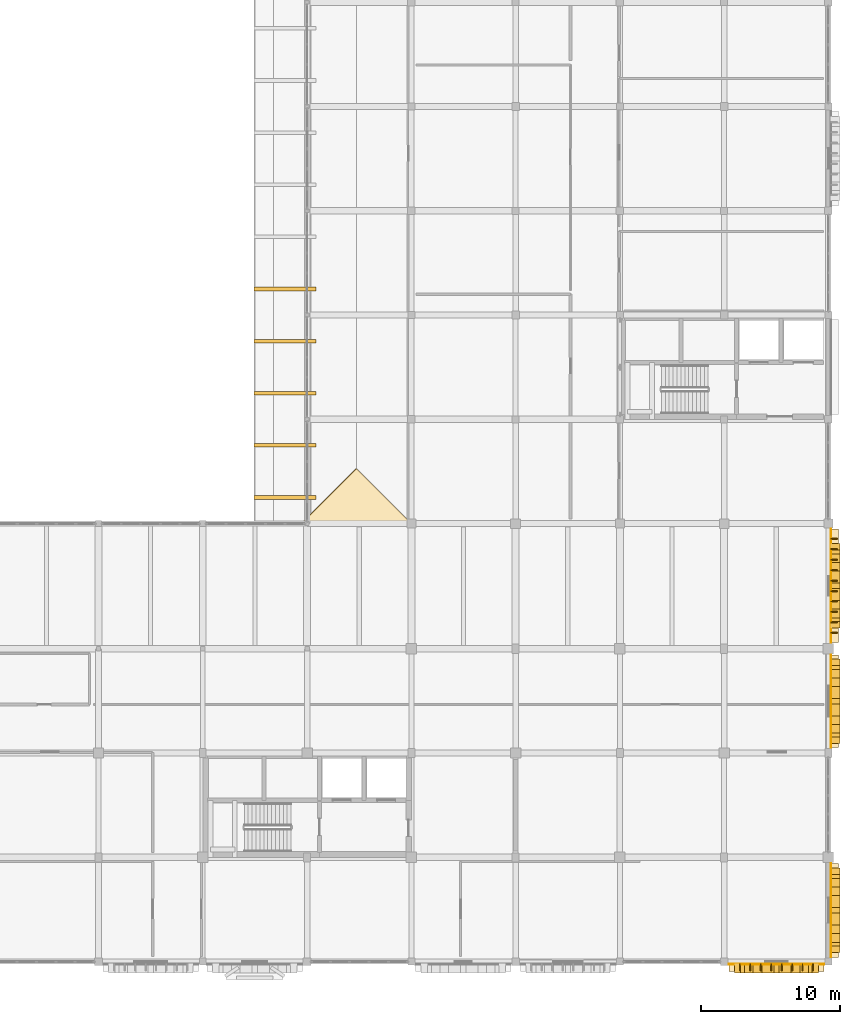
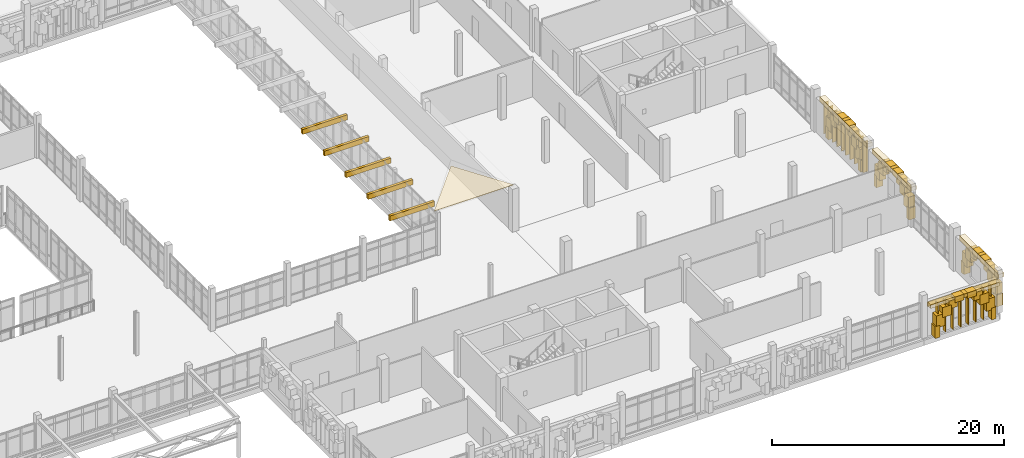
# One storey, part 123 of 128: 58 coverings, 18 shading devices.
"""IFC4 building model written with IfcOpenShell, lengths in metres."""

from ifc_helpers import new_model, si_unit, direction, frame, origin, origin_2d, place, context, subcontext, project, spatial, polyline, rectangle, outline, extrude, material, layer, layer_set, type_object, element, save


model = new_model("IFC4")

# Units and contexts
model_context = context("Model", 3, precision=1e-05, world=origin(), true_north=direction((0.0, 1.0)))
body_context = subcontext(model_context, "Body", "Model", "MODEL_VIEW")
ifc_project = project(units=[si_unit("LENGTHUNIT", "METRE"), si_unit("AREAUNIT", "SQUARE_METRE"), si_unit("VOLUMEUNIT", "CUBIC_METRE"), si_unit("PLANEANGLEUNIT", "RADIAN"), si_unit("MASSUNIT", "GRAM", prefix="KILO")], contexts=[model_context])

# Site, building, storey
site_placement = place(None, origin())
site = spatial("IfcSite", under=ifc_project, at=site_placement, CompositionType="ELEMENT")
building_placement = place(site_placement, origin())
building = spatial("IfcBuilding", under=site, at=building_placement, Name="Dalvernix Boulevard General Hospital", CompositionType="ELEMENT")
storey_placement = place(building_placement, frame((0.0, 0.0, 4.800048828125)))
storey = spatial("IfcBuildingStorey", under=building, at=storey_placement, Name="L01", CompositionType="ELEMENT", Elevation=4.800048828125)

# Coverings
ifc_material_1 = material(Name="Pressed Catalan clay brick and dressed limestone parabolic archivolt", Category="masonry")
ifc_layer_1 = layer(ifc_material_1, 0.419921875)
ifc_layer_set_1 = layer_set([ifc_layer_1], Name="Pressed Catalan clay brick and dressed limestone parabolic archivolt (COV-ARC-01)")
covering_type_1 = type_object("IfcCoveringType", Name="COV-ARC-01", PredefinedType="CLADDING", material=ifc_layer_set_1)
for number, where, z_axis, x_axis, name in (
    (1, (171.5625, -0.485107421875, 0.0), (0.0, 0.0, 1.0), (-1.0, 0.0, 0.0), "L01 Catalan parabolic arch impost pier S 22-0-L"),
    (2, (165.96240234375, -0.485107421875, 0.0), (0.0, 0.0, 1.0), (-1.0, 0.0, 0.0), "L01 Catalan parabolic arch impost pier S 22-0-R"),
):
    element("IfcCovering", number, at=place(storey_placement, frame(where, z_axis=z_axis, x_axis=x_axis)), inside=storey, type_object=covering_type_1, Name=name, PredefinedType="CLADDING", context=body_context, shape_type="SweptSolid", body=[
        extrude(rectangle(XDim=0.4599609375, YDim=0.659912109375, at=origin_2d()), origin(), (0.0, 0.0, 1.0), 1.25),
    ])
covering_1_placement = place(storey_placement, frame((171.25146484375, -0.485107421875, 1.06005859375), z_axis=(0.0, 0.0, 1.0), x_axis=(-1.0, 0.0, 0.0)))
element("IfcCovering", 3, at=covering_1_placement, inside=storey, type_object=covering_type_1, Name="L01 Catalan parabolic archivolt voussoir S 22-0-1", PredefinedType="CLADDING", context=body_context, shape_type="SweptSolid", body=[
    extrude(rectangle(XDim=0.8623046875, YDim=0.659912109375, at=origin_2d()), origin(), (0.0, 0.0, 1.0), 1.272705078125),
])
covering_2_placement = place(storey_placement, frame((170.629150390625, -0.485107421875, 1.95263671875), z_axis=(0.0, 0.0, 1.0), x_axis=(-1.0, 0.0, 0.0)))
element("IfcCovering", 4, at=covering_2_placement, inside=storey, type_object=covering_type_1, Name="L01 Catalan parabolic archivolt voussoir S 22-0-2", PredefinedType="CLADDING", context=body_context, shape_type="SweptSolid", body=[
    extrude(rectangle(XDim=0.8623046875, YDim=0.659912109375, at=origin_2d()), origin(), (0.0, 0.0, 1.0), 1.049560546875),
])
covering_3_placement = place(storey_placement, frame((170.0068359375, -0.485107421875, 2.62255859375), z_axis=(0.0, 0.0, 1.0), x_axis=(-1.0, 0.0, 0.0)))
element("IfcCovering", 5, at=covering_3_placement, inside=storey, type_object=covering_type_1, Name="L01 Catalan parabolic archivolt voussoir S 22-0-3", PredefinedType="CLADDING", context=body_context, shape_type="SweptSolid", body=[
    extrude(rectangle(XDim=0.8623046875, YDim=0.659912109375, at=origin_2d()), origin(), (0.0, 0.0, 1.0), 0.826416015625),
])
covering_4_placement = place(storey_placement, frame((169.384765625, -0.485107421875, 3.06884765625), z_axis=(0.0, 0.0, 1.0), x_axis=(-1.0, 0.0, 0.0)))
element("IfcCovering", 6, at=covering_4_placement, inside=storey, type_object=covering_type_1, Name="L01 Catalan parabolic archivolt voussoir S 22-0-4", PredefinedType="CLADDING", context=body_context, shape_type="SweptSolid", body=[
    extrude(rectangle(XDim=0.8623046875, YDim=0.659912109375, at=origin_2d()), origin(), (0.0, 0.0, 1.0), 0.603271484375),
])
covering_5_placement = place(storey_placement, frame((168.762451171875, -0.485107421875, 3.2919921875), z_axis=(0.0, 0.0, 1.0), x_axis=(-1.0, 0.0, 0.0)))
element("IfcCovering", 7, at=covering_5_placement, inside=storey, type_object=covering_type_1, Name="L01 Catalan parabolic archivolt voussoir S 22-0-5", PredefinedType="CLADDING", context=body_context, shape_type="SweptSolid", body=[
    extrude(rectangle(XDim=0.8623046875, YDim=0.659912109375, at=origin_2d()), origin(), (0.0, 0.0, 1.0), 0.3798828125),
])
covering_6_placement = place(storey_placement, frame((168.140380859375, -0.485107421875, 3.06884765625), z_axis=(0.0, 0.0, 1.0), x_axis=(-1.0, 0.0, 0.0)))
element("IfcCovering", 8, at=covering_6_placement, inside=storey, type_object=covering_type_1, Name="L01 Catalan parabolic archivolt voussoir S 22-0-6", PredefinedType="CLADDING", context=body_context, shape_type="SweptSolid", body=[
    extrude(rectangle(XDim=0.8623046875, YDim=0.659912109375, at=origin_2d()), origin(), (0.0, 0.0, 1.0), 0.603271484375),
])
covering_7_placement = place(storey_placement, frame((167.51806640625, -0.485107421875, 2.62255859375), z_axis=(0.0, 0.0, 1.0), x_axis=(-1.0, 0.0, 0.0)))
element("IfcCovering", 9, at=covering_7_placement, inside=storey, type_object=covering_type_1, Name="L01 Catalan parabolic archivolt voussoir S 22-0-7", PredefinedType="CLADDING", context=body_context, shape_type="SweptSolid", body=[
    extrude(rectangle(XDim=0.8623046875, YDim=0.659912109375, at=origin_2d()), origin(), (0.0, 0.0, 1.0), 0.826416015625),
])
covering_8_placement = place(storey_placement, frame((166.895751953125, -0.485107421875, 1.95263671875), z_axis=(0.0, 0.0, 1.0), x_axis=(-1.0, 0.0, 0.0)))
element("IfcCovering", 10, at=covering_8_placement, inside=storey, type_object=covering_type_1, Name="L01 Catalan parabolic archivolt voussoir S 22-0-8", PredefinedType="CLADDING", context=body_context, shape_type="SweptSolid", body=[
    extrude(rectangle(XDim=0.8623046875, YDim=0.659912109375, at=origin_2d()), origin(), (0.0, 0.0, 1.0), 1.049560546875),
])
covering_9_placement = place(storey_placement, frame((166.273681640625, -0.485107421875, 1.06005859375), z_axis=(0.0, 0.0, 1.0), x_axis=(-1.0, 0.0, 0.0)))
element("IfcCovering", 11, at=covering_9_placement, inside=storey, type_object=covering_type_1, Name="L01 Catalan parabolic archivolt voussoir S 22-0-9", PredefinedType="CLADDING", context=body_context, shape_type="SweptSolid", body=[
    extrude(rectangle(XDim=0.8623046875, YDim=0.659912109375, at=origin_2d()), origin(), (0.0, 0.0, 1.0), 1.272705078125),
])
for number, where, z_axis, x_axis, name in (
    (12, (172.985107421875, 6.487548828125, 0.0), (0.0, 0.0, 1.0), (0.0, -1.0, 0.0), "L01 Catalan parabolic arch impost pier E 23-0-L"),
    (13, (172.985107421875, 0.887451171875, 0.0), (0.0, 0.0, 1.0), (0.0, -1.0, 0.0), "L01 Catalan parabolic arch impost pier E 23-0-R"),
):
    element("IfcCovering", number, at=place(storey_placement, frame(where, z_axis=z_axis, x_axis=x_axis)), inside=storey, type_object=covering_type_1, Name=name, PredefinedType="CLADDING", context=body_context, shape_type="SweptSolid", body=[
        extrude(rectangle(XDim=0.4599609375, YDim=0.659912109375, at=origin_2d()), origin(), (0.0, 0.0, 1.0), 1.25),
    ])
covering_10_placement = place(storey_placement, frame((172.985107421875, 6.176513671875, 1.06005859375), z_axis=(0.0, 0.0, 1.0), x_axis=(0.0, -1.0, 0.0)))
element("IfcCovering", 14, at=covering_10_placement, inside=storey, type_object=covering_type_1, Name="L01 Catalan parabolic archivolt voussoir E 23-0-1", PredefinedType="CLADDING", context=body_context, shape_type="SweptSolid", body=[
    extrude(rectangle(XDim=0.8623046875, YDim=0.659912109375, at=origin_2d()), origin(), (0.0, 0.0, 1.0), 1.272705078125),
])
covering_11_placement = place(storey_placement, frame((172.985107421875, 5.55419921875, 1.95263671875), z_axis=(0.0, 0.0, 1.0), x_axis=(0.0, -1.0, 0.0)))
element("IfcCovering", 15, at=covering_11_placement, inside=storey, type_object=covering_type_1, Name="L01 Catalan parabolic archivolt voussoir E 23-0-2", PredefinedType="CLADDING", context=body_context, shape_type="SweptSolid", body=[
    extrude(rectangle(XDim=0.8623046875, YDim=0.659912109375, at=origin_2d()), origin(), (0.0, 0.0, 1.0), 1.049560546875),
])
covering_12_placement = place(storey_placement, frame((172.985107421875, 4.931884765625, 2.62255859375), z_axis=(0.0, 0.0, 1.0), x_axis=(0.0, -1.0, 0.0)))
element("IfcCovering", 16, at=covering_12_placement, inside=storey, type_object=covering_type_1, Name="L01 Catalan parabolic archivolt voussoir E 23-0-3", PredefinedType="CLADDING", context=body_context, shape_type="SweptSolid", body=[
    extrude(rectangle(XDim=0.8623046875, YDim=0.659912109375, at=origin_2d()), origin(), (0.0, 0.0, 1.0), 0.826416015625),
])
covering_13_placement = place(storey_placement, frame((172.985107421875, 4.309814453125, 3.06884765625), z_axis=(0.0, 0.0, 1.0), x_axis=(0.0, -1.0, 0.0)))
element("IfcCovering", 17, at=covering_13_placement, inside=storey, type_object=covering_type_1, Name="L01 Catalan parabolic archivolt voussoir E 23-0-4", PredefinedType="CLADDING", context=body_context, shape_type="SweptSolid", body=[
    extrude(rectangle(XDim=0.8623046875, YDim=0.659912109375, at=origin_2d()), origin(), (0.0, 0.0, 1.0), 0.603271484375),
])
covering_14_placement = place(storey_placement, frame((172.985107421875, 3.6875, 3.2919921875), z_axis=(0.0, 0.0, 1.0), x_axis=(0.0, -1.0, 0.0)))
element("IfcCovering", 18, at=covering_14_placement, inside=storey, type_object=covering_type_1, Name="L01 Catalan parabolic archivolt voussoir E 23-0-5", PredefinedType="CLADDING", context=body_context, shape_type="SweptSolid", body=[
    extrude(rectangle(XDim=0.8623046875, YDim=0.659912109375, at=origin_2d()), origin(), (0.0, 0.0, 1.0), 0.3798828125),
])
covering_15_placement = place(storey_placement, frame((172.985107421875, 3.065185546875, 3.06884765625), z_axis=(0.0, 0.0, 1.0), x_axis=(0.0, -1.0, 0.0)))
element("IfcCovering", 19, at=covering_15_placement, inside=storey, type_object=covering_type_1, Name="L01 Catalan parabolic archivolt voussoir E 23-0-6", PredefinedType="CLADDING", context=body_context, shape_type="SweptSolid", body=[
    extrude(rectangle(XDim=0.8623046875, YDim=0.659912109375, at=origin_2d()), origin(), (0.0, 0.0, 1.0), 0.603271484375),
])
covering_16_placement = place(storey_placement, frame((172.985107421875, 2.443115234375, 2.62255859375), z_axis=(0.0, 0.0, 1.0), x_axis=(0.0, -1.0, 0.0)))
element("IfcCovering", 20, at=covering_16_placement, inside=storey, type_object=covering_type_1, Name="L01 Catalan parabolic archivolt voussoir E 23-0-7", PredefinedType="CLADDING", context=body_context, shape_type="SweptSolid", body=[
    extrude(rectangle(XDim=0.8623046875, YDim=0.659912109375, at=origin_2d()), origin(), (0.0, 0.0, 1.0), 0.826416015625),
])
covering_17_placement = place(storey_placement, frame((172.985107421875, 1.82080078125, 1.95263671875), z_axis=(0.0, 0.0, 1.0), x_axis=(0.0, -1.0, 0.0)))
element("IfcCovering", 21, at=covering_17_placement, inside=storey, type_object=covering_type_1, Name="L01 Catalan parabolic archivolt voussoir E 23-0-8", PredefinedType="CLADDING", context=body_context, shape_type="SweptSolid", body=[
    extrude(rectangle(XDim=0.8623046875, YDim=0.659912109375, at=origin_2d()), origin(), (0.0, 0.0, 1.0), 1.049560546875),
])
covering_18_placement = place(storey_placement, frame((172.985107421875, 1.198486328125, 1.06005859375), z_axis=(0.0, 0.0, 1.0), x_axis=(0.0, -1.0, 0.0)))
element("IfcCovering", 22, at=covering_18_placement, inside=storey, type_object=covering_type_1, Name="L01 Catalan parabolic archivolt voussoir E 23-0-9", PredefinedType="CLADDING", context=body_context, shape_type="SweptSolid", body=[
    extrude(rectangle(XDim=0.8623046875, YDim=0.659912109375, at=origin_2d()), origin(), (0.0, 0.0, 1.0), 1.272705078125),
])
for number, where, z_axis, x_axis, name in (
    (23, (172.985107421875, 21.52490234375, 0.0), (0.0, 0.0, 1.0), (0.0, -1.0, 0.0), "L01 Catalan parabolic arch impost pier E 23-2-L"),
    (24, (172.985107421875, 15.925048828125, 0.0), (0.0, 0.0, 1.0), (0.0, -1.0, 0.0), "L01 Catalan parabolic arch impost pier E 23-2-R"),
):
    element("IfcCovering", number, at=place(storey_placement, frame(where, z_axis=z_axis, x_axis=x_axis)), inside=storey, type_object=covering_type_1, Name=name, PredefinedType="CLADDING", context=body_context, shape_type="SweptSolid", body=[
        extrude(rectangle(XDim=0.4599609375, YDim=0.659912109375, at=origin_2d()), origin(), (0.0, 0.0, 1.0), 1.25),
    ])
covering_19_placement = place(storey_placement, frame((172.985107421875, 21.2138671875, 1.06005859375), z_axis=(0.0, 0.0, 1.0), x_axis=(0.0, -1.0, 0.0)))
element("IfcCovering", 25, at=covering_19_placement, inside=storey, type_object=covering_type_1, Name="L01 Catalan parabolic archivolt voussoir E 23-2-1", PredefinedType="CLADDING", context=body_context, shape_type="SweptSolid", body=[
    extrude(rectangle(XDim=0.8623046875, YDim=0.659912109375, at=origin_2d()), origin(), (0.0, 0.0, 1.0), 1.272705078125),
])
covering_20_placement = place(storey_placement, frame((172.985107421875, 20.591796875, 1.95263671875), z_axis=(0.0, 0.0, 1.0), x_axis=(0.0, -1.0, 0.0)))
element("IfcCovering", 26, at=covering_20_placement, inside=storey, type_object=covering_type_1, Name="L01 Catalan parabolic archivolt voussoir E 23-2-2", PredefinedType="CLADDING", context=body_context, shape_type="SweptSolid", body=[
    extrude(rectangle(XDim=0.8623046875, YDim=0.659912109375, at=origin_2d()), origin(), (0.0, 0.0, 1.0), 1.049560546875),
])
covering_21_placement = place(storey_placement, frame((172.985107421875, 19.969482421875, 2.62255859375), z_axis=(0.0, 0.0, 1.0), x_axis=(0.0, -1.0, 0.0)))
element("IfcCovering", 27, at=covering_21_placement, inside=storey, type_object=covering_type_1, Name="L01 Catalan parabolic archivolt voussoir E 23-2-3", PredefinedType="CLADDING", context=body_context, shape_type="SweptSolid", body=[
    extrude(rectangle(XDim=0.8623046875, YDim=0.659912109375, at=origin_2d()), origin(), (0.0, 0.0, 1.0), 0.826416015625),
])
covering_22_placement = place(storey_placement, frame((172.985107421875, 19.34716796875, 3.06884765625), z_axis=(0.0, 0.0, 1.0), x_axis=(0.0, -1.0, 0.0)))
element("IfcCovering", 28, at=covering_22_placement, inside=storey, type_object=covering_type_1, Name="L01 Catalan parabolic archivolt voussoir E 23-2-4", PredefinedType="CLADDING", context=body_context, shape_type="SweptSolid", body=[
    extrude(rectangle(XDim=0.8623046875, YDim=0.659912109375, at=origin_2d()), origin(), (0.0, 0.0, 1.0), 0.603271484375),
])
covering_23_placement = place(storey_placement, frame((172.985107421875, 18.72509765625, 3.2919921875), z_axis=(0.0, 0.0, 1.0), x_axis=(0.0, -1.0, 0.0)))
element("IfcCovering", 29, at=covering_23_placement, inside=storey, type_object=covering_type_1, Name="L01 Catalan parabolic archivolt voussoir E 23-2-5", PredefinedType="CLADDING", context=body_context, shape_type="SweptSolid", body=[
    extrude(rectangle(XDim=0.8623046875, YDim=0.659912109375, at=origin_2d()), origin(), (0.0, 0.0, 1.0), 0.3798828125),
])
covering_24_placement = place(storey_placement, frame((172.985107421875, 18.102783203125, 3.06884765625), z_axis=(0.0, 0.0, 1.0), x_axis=(0.0, -1.0, 0.0)))
element("IfcCovering", 30, at=covering_24_placement, inside=storey, type_object=covering_type_1, Name="L01 Catalan parabolic archivolt voussoir E 23-2-6", PredefinedType="CLADDING", context=body_context, shape_type="SweptSolid", body=[
    extrude(rectangle(XDim=0.8623046875, YDim=0.659912109375, at=origin_2d()), origin(), (0.0, 0.0, 1.0), 0.603271484375),
])
covering_25_placement = place(storey_placement, frame((172.985107421875, 17.480712890625, 2.62255859375), z_axis=(0.0, 0.0, 1.0), x_axis=(0.0, -1.0, 0.0)))
element("IfcCovering", 31, at=covering_25_placement, inside=storey, type_object=covering_type_1, Name="L01 Catalan parabolic archivolt voussoir E 23-2-7", PredefinedType="CLADDING", context=body_context, shape_type="SweptSolid", body=[
    extrude(rectangle(XDim=0.8623046875, YDim=0.659912109375, at=origin_2d()), origin(), (0.0, 0.0, 1.0), 0.826416015625),
])
covering_26_placement = place(storey_placement, frame((172.985107421875, 16.8583984375, 1.95263671875), z_axis=(0.0, 0.0, 1.0), x_axis=(0.0, -1.0, 0.0)))
element("IfcCovering", 32, at=covering_26_placement, inside=storey, type_object=covering_type_1, Name="L01 Catalan parabolic archivolt voussoir E 23-2-8", PredefinedType="CLADDING", context=body_context, shape_type="SweptSolid", body=[
    extrude(rectangle(XDim=0.8623046875, YDim=0.659912109375, at=origin_2d()), origin(), (0.0, 0.0, 1.0), 1.049560546875),
])
covering_27_placement = place(storey_placement, frame((172.985107421875, 16.236083984375, 1.06005859375), z_axis=(0.0, 0.0, 1.0), x_axis=(0.0, -1.0, 0.0)))
element("IfcCovering", 33, at=covering_27_placement, inside=storey, type_object=covering_type_1, Name="L01 Catalan parabolic archivolt voussoir E 23-2-9", PredefinedType="CLADDING", context=body_context, shape_type="SweptSolid", body=[
    extrude(rectangle(XDim=0.8623046875, YDim=0.659912109375, at=origin_2d()), origin(), (0.0, 0.0, 1.0), 1.272705078125),
])
for number, where, z_axis, x_axis, name in (
    (34, (172.985107421875, 29.824951171875, 0.0), (0.0, 0.0, 1.0), (0.0, -1.0, 0.0), "L01 Catalan parabolic arch impost pier E 23-3-L"),
    (35, (172.985107421875, 24.22509765625, 0.0), (0.0, 0.0, 1.0), (0.0, -1.0, 0.0), "L01 Catalan parabolic arch impost pier E 23-3-R"),
):
    element("IfcCovering", number, at=place(storey_placement, frame(where, z_axis=z_axis, x_axis=x_axis)), inside=storey, type_object=covering_type_1, Name=name, PredefinedType="CLADDING", context=body_context, shape_type="SweptSolid", body=[
        extrude(rectangle(XDim=0.4599609375, YDim=0.659912109375, at=origin_2d()), origin(), (0.0, 0.0, 1.0), 1.25),
    ])
covering_28_placement = place(storey_placement, frame((172.985107421875, 29.513916015625, 1.06005859375), z_axis=(0.0, 0.0, 1.0), x_axis=(0.0, -1.0, 0.0)))
element("IfcCovering", 36, at=covering_28_placement, inside=storey, type_object=covering_type_1, Name="L01 Catalan parabolic archivolt voussoir E 23-3-1", PredefinedType="CLADDING", context=body_context, shape_type="SweptSolid", body=[
    extrude(rectangle(XDim=0.8623046875, YDim=0.659912109375, at=origin_2d()), origin(), (0.0, 0.0, 1.0), 1.272705078125),
])
covering_29_placement = place(storey_placement, frame((172.985107421875, 28.8916015625, 1.95263671875), z_axis=(0.0, 0.0, 1.0), x_axis=(0.0, -1.0, 0.0)))
element("IfcCovering", 37, at=covering_29_placement, inside=storey, type_object=covering_type_1, Name="L01 Catalan parabolic archivolt voussoir E 23-3-2", PredefinedType="CLADDING", context=body_context, shape_type="SweptSolid", body=[
    extrude(rectangle(XDim=0.8623046875, YDim=0.659912109375, at=origin_2d()), origin(), (0.0, 0.0, 1.0), 1.049560546875),
])
covering_30_placement = place(storey_placement, frame((172.985107421875, 28.269287109375, 2.62255859375), z_axis=(0.0, 0.0, 1.0), x_axis=(0.0, -1.0, 0.0)))
element("IfcCovering", 38, at=covering_30_placement, inside=storey, type_object=covering_type_1, Name="L01 Catalan parabolic archivolt voussoir E 23-3-3", PredefinedType="CLADDING", context=body_context, shape_type="SweptSolid", body=[
    extrude(rectangle(XDim=0.8623046875, YDim=0.659912109375, at=origin_2d()), origin(), (0.0, 0.0, 1.0), 0.826416015625),
])
covering_31_placement = place(storey_placement, frame((172.985107421875, 27.647216796875, 3.06884765625), z_axis=(0.0, 0.0, 1.0), x_axis=(0.0, -1.0, 0.0)))
element("IfcCovering", 39, at=covering_31_placement, inside=storey, type_object=covering_type_1, Name="L01 Catalan parabolic archivolt voussoir E 23-3-4", PredefinedType="CLADDING", context=body_context, shape_type="SweptSolid", body=[
    extrude(rectangle(XDim=0.8623046875, YDim=0.659912109375, at=origin_2d()), origin(), (0.0, 0.0, 1.0), 0.603271484375),
])
covering_32_placement = place(storey_placement, frame((172.985107421875, 27.02490234375, 3.2919921875), z_axis=(0.0, 0.0, 1.0), x_axis=(0.0, -1.0, 0.0)))
element("IfcCovering", 40, at=covering_32_placement, inside=storey, type_object=covering_type_1, Name="L01 Catalan parabolic archivolt voussoir E 23-3-5", PredefinedType="CLADDING", context=body_context, shape_type="SweptSolid", body=[
    extrude(rectangle(XDim=0.8623046875, YDim=0.659912109375, at=origin_2d()), origin(), (0.0, 0.0, 1.0), 0.3798828125),
])
covering_33_placement = place(storey_placement, frame((172.985107421875, 26.40283203125, 3.06884765625), z_axis=(0.0, 0.0, 1.0), x_axis=(0.0, -1.0, 0.0)))
element("IfcCovering", 41, at=covering_33_placement, inside=storey, type_object=covering_type_1, Name="L01 Catalan parabolic archivolt voussoir E 23-3-6", PredefinedType="CLADDING", context=body_context, shape_type="SweptSolid", body=[
    extrude(rectangle(XDim=0.8623046875, YDim=0.659912109375, at=origin_2d()), origin(), (0.0, 0.0, 1.0), 0.603271484375),
])
covering_34_placement = place(storey_placement, frame((172.985107421875, 25.780517578125, 2.62255859375), z_axis=(0.0, 0.0, 1.0), x_axis=(0.0, -1.0, 0.0)))
element("IfcCovering", 42, at=covering_34_placement, inside=storey, type_object=covering_type_1, Name="L01 Catalan parabolic archivolt voussoir E 23-3-7", PredefinedType="CLADDING", context=body_context, shape_type="SweptSolid", body=[
    extrude(rectangle(XDim=0.8623046875, YDim=0.659912109375, at=origin_2d()), origin(), (0.0, 0.0, 1.0), 0.826416015625),
])
covering_35_placement = place(storey_placement, frame((172.985107421875, 25.158203125, 1.95263671875), z_axis=(0.0, 0.0, 1.0), x_axis=(0.0, -1.0, 0.0)))
element("IfcCovering", 43, at=covering_35_placement, inside=storey, type_object=covering_type_1, Name="L01 Catalan parabolic archivolt voussoir E 23-3-8", PredefinedType="CLADDING", context=body_context, shape_type="SweptSolid", body=[
    extrude(rectangle(XDim=0.8623046875, YDim=0.659912109375, at=origin_2d()), origin(), (0.0, 0.0, 1.0), 1.049560546875),
])
covering_36_placement = place(storey_placement, frame((172.985107421875, 24.5361328125, 1.06005859375), z_axis=(0.0, 0.0, 1.0), x_axis=(0.0, -1.0, 0.0)))
element("IfcCovering", 44, at=covering_36_placement, inside=storey, type_object=covering_type_1, Name="L01 Catalan parabolic archivolt voussoir E 23-3-9", PredefinedType="CLADDING", context=body_context, shape_type="SweptSolid", body=[
    extrude(rectangle(XDim=0.8623046875, YDim=0.659912109375, at=origin_2d()), origin(), (0.0, 0.0, 1.0), 1.272705078125),
])
ifc_material_2 = material(Name="Polychrome Catalan glazed ceramic spandrel tile panel")
ifc_layer_2 = layer(ifc_material_2, 0.044921875)
ifc_layer_set_2 = layer_set([ifc_layer_2], Name="Polychrome Catalan glazed ceramic spandrel tile panel (COV-CLD-01)")
covering_type_2 = type_object("IfcCoveringType", Name="COV-CLD-01", PredefinedType="CLADDING", material=ifc_layer_set_2)
covering_37_placement = place(storey_placement, frame((168.762451171875, -0.195068359375, 3.15478515625), z_axis=(0.0, 0.0, 1.0), x_axis=(-1.0, 0.0, 0.0)))
element("IfcCovering", 45, at=covering_37_placement, inside=storey, type_object=covering_type_2, Name="L01 polychrome ceramic spandrel S 22-0", PredefinedType="CLADDING", context=body_context, shape_type="SweptSolid", body=[
    extrude(rectangle(XDim=6.85498046875, YDim=0.044921875, at=origin_2d()), origin(), (0.0, 0.0, 1.0), 0.449951171875),
])
covering_38_placement = place(storey_placement, frame((172.695068359375, 3.6875, 3.15478515625), z_axis=(0.0, 0.0, 1.0), x_axis=(0.0, -1.0, 0.0)))
element("IfcCovering", 46, at=covering_38_placement, inside=storey, type_object=covering_type_2, Name="L01 polychrome ceramic spandrel E 23-0", PredefinedType="CLADDING", context=body_context, shape_type="SweptSolid", body=[
    extrude(rectangle(XDim=6.7548828125, YDim=0.044921875, at=origin_2d()), origin(), (0.0, 0.0, 1.0), 0.449951171875),
])
covering_39_placement = place(storey_placement, frame((172.695068359375, 18.72509765625, 3.15478515625), z_axis=(0.0, 0.0, 1.0), x_axis=(0.0, -1.0, 0.0)))
element("IfcCovering", 47, at=covering_39_placement, inside=storey, type_object=covering_type_2, Name="L01 polychrome ceramic spandrel E 23-2", PredefinedType="CLADDING", context=body_context, shape_type="SweptSolid", body=[
    extrude(rectangle(XDim=6.679931640625, YDim=0.044921875, at=origin_2d()), origin(), (0.0, 0.0, 1.0), 0.449951171875),
])
covering_40_placement = place(storey_placement, frame((172.695068359375, 27.02490234375, 3.15478515625), z_axis=(0.0, 0.0, 1.0), x_axis=(0.0, -1.0, 0.0)))
element("IfcCovering", 48, at=covering_40_placement, inside=storey, type_object=covering_type_2, Name="L01 polychrome ceramic spandrel E 23-3", PredefinedType="CLADDING", context=body_context, shape_type="SweptSolid", body=[
    extrude(rectangle(XDim=8.179931640625, YDim=0.044921875, at=origin_2d()), origin(), (0.0, 0.0, 1.0), 0.449951171875),
])
ifc_material_3 = material(Name="Dressed ochre limestone classical plinth, stringcourse and corbelled cornice", Category="masonry")
ifc_layer_3 = layer(ifc_material_3, 0.449951171875)
ifc_layer_set_3 = layer_set([ifc_layer_3], Name="Dressed ochre limestone classical plinth, stringcourse and corbelled cornice (COV-CRN-01)")
covering_type_3 = type_object("IfcCoveringType", Name="COV-CRN-01", PredefinedType="CLADDING", material=ifc_layer_set_3)
covering_41_placement = place(storey_placement, frame((168.762451171875, -0.43505859375, 3.22998046875), z_axis=(0.0, 0.0, 1.0), x_axis=(-1.0, 0.0, 0.0)))
element("IfcCovering", 49, at=covering_41_placement, inside=storey, type_object=covering_type_3, Name="L01 classical corbelled cornice frieze S 22-0", PredefinedType="CLADDING", context=body_context, shape_type="SweptSolid", body=[
    extrude(rectangle(XDim=6.85498046875, YDim=0.56005859375, at=origin_2d()), origin(), (0.0, 0.0, 1.0), 0.39990234375),
])
covering_42_placement = place(storey_placement, frame((172.93505859375, 3.6875, 3.22998046875), z_axis=(0.0, 0.0, 1.0), x_axis=(0.0, -1.0, 0.0)))
element("IfcCovering", 50, at=covering_42_placement, inside=storey, type_object=covering_type_3, Name="L01 classical corbelled cornice frieze E 23-0", PredefinedType="CLADDING", context=body_context, shape_type="SweptSolid", body=[
    extrude(rectangle(XDim=6.7548828125, YDim=0.56005859375, at=origin_2d()), origin(), (0.0, 0.0, 1.0), 0.39990234375),
])
covering_43_placement = place(storey_placement, frame((172.93505859375, 18.72509765625, 3.22998046875), z_axis=(0.0, 0.0, 1.0), x_axis=(0.0, -1.0, 0.0)))
element("IfcCovering", 51, at=covering_43_placement, inside=storey, type_object=covering_type_3, Name="L01 classical corbelled cornice frieze E 23-2", PredefinedType="CLADDING", context=body_context, shape_type="SweptSolid", body=[
    extrude(rectangle(XDim=6.679931640625, YDim=0.56005859375, at=origin_2d()), origin(), (0.0, 0.0, 1.0), 0.39990234375),
])
covering_44_placement = place(storey_placement, frame((172.93505859375, 27.02490234375, 3.22998046875), z_axis=(0.0, 0.0, 1.0), x_axis=(0.0, -1.0, 0.0)))
element("IfcCovering", 52, at=covering_44_placement, inside=storey, type_object=covering_type_3, Name="L01 classical corbelled cornice frieze E 23-3", PredefinedType="CLADDING", context=body_context, shape_type="SweptSolid", body=[
    extrude(rectangle(XDim=8.179931640625, YDim=0.56005859375, at=origin_2d()), origin(), (0.0, 0.0, 1.0), 0.39990234375),
])
ifc_material_4 = material(Name="Preservative-treated glulam GL28h eave outlooker corbel bracket", Category="wood")
ifc_layer_4 = layer(ifc_material_4, 0.239990234375)
ifc_layer_set_4 = layer_set([ifc_layer_4], Name="Preservative-treated glulam GL28h eave outlooker corbel bracket (COV-OUTLOOK-01)")
covering_type_4 = type_object("IfcCoveringType", Name="COV-OUTLOOK-01", PredefinedType="CLADDING", material=ifc_layer_set_4)
for number, where, z_axis, x_axis, name in (
    (53, (133.425048828125, 33.375, 3.78466796875), (0.0, 0.0, 1.0), (1.0, 0.0, 0.0), "V6E glulam eave outlooker corbel W-1"),
    (54, (133.425048828125, 37.125, 3.78466796875), (0.0, 0.0, 1.0), (1.0, 0.0, 0.0), "V6E glulam eave outlooker corbel W-2"),
    (55, (133.425048828125, 40.875, 3.78466796875), (0.0, 0.0, 1.0), (1.0, 0.0, 0.0), "V6E glulam eave outlooker corbel W-3"),
    (56, (133.425048828125, 44.625, 3.78466796875), (0.0, 0.0, 1.0), (1.0, 0.0, 0.0), "V6E glulam eave outlooker corbel W-4"),
    (57, (133.425048828125, 48.375, 3.78466796875), (0.0, 0.0, 1.0), (1.0, 0.0, 0.0), "V6E glulam eave outlooker corbel W-5"),
):
    element("IfcCovering", number, at=place(storey_placement, frame(where, z_axis=z_axis, x_axis=x_axis)), inside=storey, type_object=covering_type_4, Name=name, PredefinedType="CLADDING", context=body_context, shape_type="SweptSolid", body=[
        extrude(rectangle(XDim=4.449951171875, YDim=0.260009765625, at=origin_2d()), origin(), (0.0, 0.0, 1.0), 0.52001953125),
    ])
ifc_material_5 = material(Name="Polychrome Catalan glazed terracotta roof tiles", Category="masonry")
ifc_layer_5 = layer(ifc_material_5, 0.050048828125)
ifc_layer_set_5 = layer_set([ifc_layer_5], Name="Polychrome Catalan glazed terracotta roof tiles (COV-ROOF-01)")
covering_type_5 = type_object("IfcCoveringType", Name="COV-ROOF-01", PredefinedType="ROOFING", material=ifc_layer_set_5)
covering_45_placement = place(storey_placement, frame((134.60009765625, 31.5, 4.71484375), z_axis=(0.0, -0.238536653022, 0.971133495028), x_axis=(1.0, 0.0, 0.0)))
element("IfcCovering", 58, at=covering_45_placement, inside=storey, type_object=covering_type_5, Name="V6E glazed terracotta tile slope S", PredefinedType="ROOFING", context=body_context, shape_type="SweptSolid", body=[
    extrude(outline(polyline([(0.0, 0.0), (7.89990234375, 0.0), (3.949951171875, 4.06736168827282), (0.0, 0.0)])), origin(), (0.0, 0.0, -1.0), 0.050048828125),
])

# Shading devices
ifc_material_6 = material(Name="Preservative-treated West African iroko timber", Category="wood")
shading_device_type = type_object("IfcShadingDeviceType", Name="SHD-FIN-01", PredefinedType="USERDEFINED", material=ifc_material_6)
for number, where, z_axis, x_axis, name in (
    (59, (171.387451171875, -0.405029296875, 0.1748046875), (0.0, 0.0, 1.0), (-1.0, 0.0, 0.0), "L01 iroko brise-soleil fin 1"),
    (60, (170.637451171875, -0.405029296875, 0.1748046875), (0.0, 0.0, 1.0), (-1.0, 0.0, 0.0), "L01 iroko brise-soleil fin 2"),
    (61, (169.887451171875, -0.405029296875, 0.1748046875), (0.0, 0.0, 1.0), (-1.0, 0.0, 0.0), "L01 iroko brise-soleil fin 3"),
    (62, (169.137451171875, -0.405029296875, 0.1748046875), (0.0, 0.0, 1.0), (-1.0, 0.0, 0.0), "L01 iroko brise-soleil fin 4"),
    (63, (168.387451171875, -0.405029296875, 0.1748046875), (0.0, 0.0, 1.0), (-1.0, 0.0, 0.0), "L01 iroko brise-soleil fin 5"),
    (64, (167.637451171875, -0.405029296875, 0.1748046875), (0.0, 0.0, 1.0), (-1.0, 0.0, 0.0), "L01 iroko brise-soleil fin 6"),
    (65, (166.887451171875, -0.405029296875, 0.1748046875), (0.0, 0.0, 1.0), (-1.0, 0.0, 0.0), "L01 iroko brise-soleil fin 7"),
    (66, (166.137451171875, -0.405029296875, 0.1748046875), (0.0, 0.0, 1.0), (-1.0, 0.0, 0.0), "L01 iroko brise-soleil fin 8"),
    (67, (172.905029296875, 30.39990234375, 0.1748046875), (0.0, 0.0, 1.0), (0.0, -1.0, 0.0), "L01 iroko brise-soleil fin 1"),
    (68, (172.905029296875, 29.64990234375, 0.1748046875), (0.0, 0.0, 1.0), (0.0, -1.0, 0.0), "L01 iroko brise-soleil fin 2"),
    (69, (172.905029296875, 28.89990234375, 0.1748046875), (0.0, 0.0, 1.0), (0.0, -1.0, 0.0), "L01 iroko brise-soleil fin 3"),
    (70, (172.905029296875, 28.14990234375, 0.1748046875), (0.0, 0.0, 1.0), (0.0, -1.0, 0.0), "L01 iroko brise-soleil fin 4"),
    (71, (172.905029296875, 27.39990234375, 0.1748046875), (0.0, 0.0, 1.0), (0.0, -1.0, 0.0), "L01 iroko brise-soleil fin 5"),
    (72, (172.905029296875, 26.64990234375, 0.1748046875), (0.0, 0.0, 1.0), (0.0, -1.0, 0.0), "L01 iroko brise-soleil fin 6"),
    (73, (172.905029296875, 25.89990234375, 0.1748046875), (0.0, 0.0, 1.0), (0.0, -1.0, 0.0), "L01 iroko brise-soleil fin 7"),
    (74, (172.905029296875, 25.14990234375, 0.1748046875), (0.0, 0.0, 1.0), (0.0, -1.0, 0.0), "L01 iroko brise-soleil fin 8"),
    (75, (172.905029296875, 24.39990234375, 0.1748046875), (0.0, 0.0, 1.0), (0.0, -1.0, 0.0), "L01 iroko brise-soleil fin 9"),
    (76, (172.905029296875, 23.64990234375, 0.1748046875), (0.0, 0.0, 1.0), (0.0, -1.0, 0.0), "L01 iroko brise-soleil fin 10"),
):
    element("IfcShadingDevice", number, at=place(storey_placement, frame(where, z_axis=z_axis, x_axis=x_axis)), inside=storey, type_object=shading_device_type, Name=name, ObjectType="FIN", PredefinedType="USERDEFINED", context=body_context, shape_type="SweptSolid", body=[
        extrude(rectangle(XDim=0.06494140625, YDim=0.47998046875, at=origin_2d()), origin(), (0.0, 0.0, 1.0), 3.280029296875),
    ])

save(model, "model.ifc")
